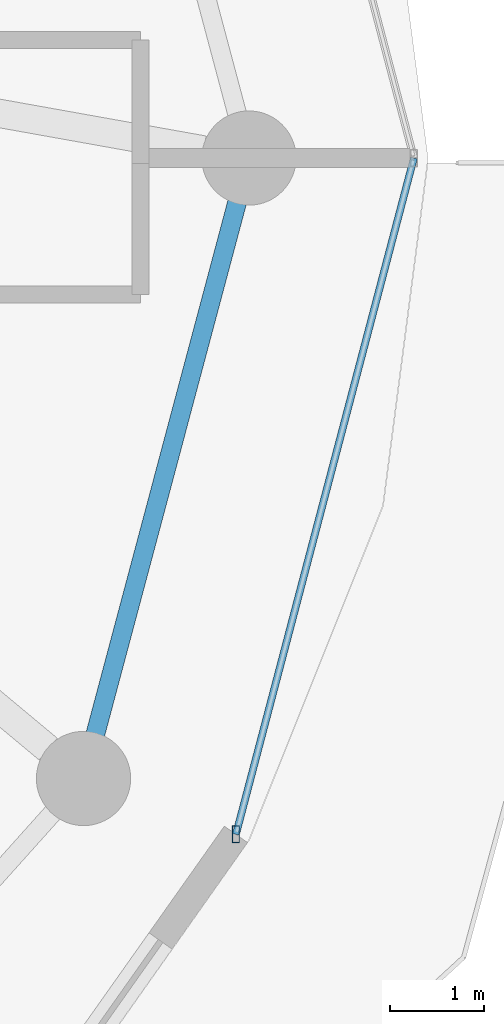
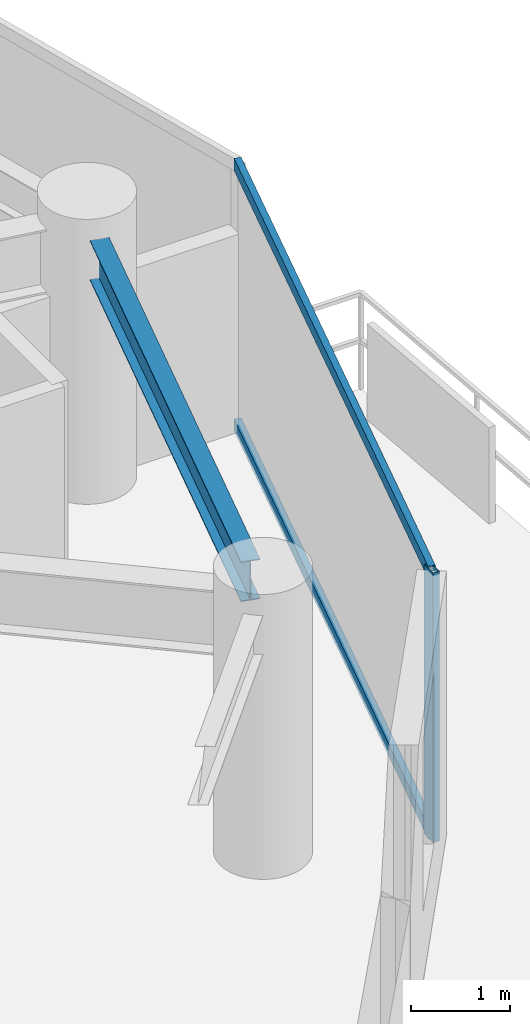
# One storey, part 14 of 31: 3 members, 1 beam, 1 element without a shape of its own.
"""IFC4 building model written with IfcOpenShell, lengths in metres."""

from ifc_helpers import new_model, si_unit, direction, frame, origin, origin_2d, place, context, subcontext, project, spatial, hollow_rectangle, i_section, extrude, material, material_profile, profile_set, type_object, element, aggregate, save


model = new_model("IFC4")

# Units and contexts
model_context = context("Model", 3, precision=1e-05, world=origin(), true_north=direction((0.0, 1.0)))
body_context = subcontext(model_context, "Body", "Model", "MODEL_VIEW")
ifc_project = project(units=[si_unit("LENGTHUNIT", "METRE"), si_unit("AREAUNIT", "SQUARE_METRE"), si_unit("VOLUMEUNIT", "CUBIC_METRE"), si_unit("PLANEANGLEUNIT", "RADIAN"), si_unit("MASSUNIT", "GRAM", prefix="KILO")], contexts=[model_context])

# Site, building, storey
site_placement = place(None, origin())
site = spatial("IfcSite", under=ifc_project, at=site_placement, CompositionType="ELEMENT")
building_placement = place(site_placement, origin())
building = spatial("IfcBuilding", under=site, at=building_placement, Name="Vorneva Point Tower", CompositionType="ELEMENT")
storey_placement = place(building_placement, frame((0.0, 0.0, 136.10009765625)))
storey = spatial("IfcBuildingStorey", under=building, at=storey_placement, Name="L36", CompositionType="ELEMENT", Elevation=136.10009765625)

# Beam
ifc_material_1 = material(Name="Steel S355", Category="steel")
ifc_material_profile_1 = material_profile(ifc_material_1, i_section(OverallWidth=0.199951171875, OverallDepth=0.491943359375, WebThickness=0.0087890625, FlangeThickness=0.011962890625, at=origin_2d()), Name="50B1")
ifc_profile_set_1 = profile_set([ifc_material_profile_1], Name="Steel S355")
beam_type = type_object("IfcBeamType", Name="BM-SPN-50B1", PredefinedType="SPANDREL", material=ifc_profile_set_1)
beam_placement = place(storey_placement, frame((59.42041015625, 19.886474609375, 2.993896484375), z_axis=(0.257550804648, 0.966264758245, 0.0), x_axis=(-0.966264758245, 0.257550804648, 0.0)))
element("IfcBeam", 1, at=beam_placement, inside=storey, type_object=beam_type, Name="L36 Perimeter Spandrel Ring Beam 16", PredefinedType="SPANDREL", context=body_context, shape_type="SweptSolid", body=[
    extrude(i_section(OverallWidth=0.199951171875, OverallDepth=0.491943359375, WebThickness=0.0087890625, FlangeThickness=0.011962890625, at=origin_2d()), origin(), (0.0, 0.0, 1.0), 5.842041015625),
])

# Curtain wall, members
ifc_material_2 = material(Name="Pale anodised aluminium", Category="aluminium")
curtain_wall_type = type_object("IfcCurtainWallType", Name="CW-RES-SYS", PredefinedType="NOTDEFINED", material=ifc_material_2)
curtain_wall_placement = place(storey_placement, origin())
curtain_wall = element("IfcCurtainWall", 2, at=curtain_wall_placement, inside=storey, type_object=curtain_wall_type, Name="L36 Unitised Curtain Wall CW-L36-R01", PredefinedType="NOTDEFINED")
ifc_material_profile_2 = material_profile(ifc_material_2, hollow_rectangle(XDim=0.074951171875, YDim=0.179931640625, WallThickness=0.00390625, at=origin_2d()), Name="AL-MUL 180x75x4")
ifc_profile_set_2 = profile_set([ifc_material_profile_2], Name="Pale anodised aluminium")
member_type_1 = type_object("IfcMemberType", Name="CW-MUL-180", PredefinedType="MULLION", material=ifc_profile_set_2)
member_1_placement = place(storey_placement, frame((60.912109375, 18.82470703125, -0.0400390625), z_axis=(0.0, 0.0, 1.0), x_axis=(1.0, 0.0, 0.0)))
member_1 = element("IfcMember", 3, at=member_1_placement, type_object=member_type_1, Name="CW-L36-R01 Mullion 01", PredefinedType="MULLION", context=body_context, shape_type="SweptSolid", body=[
    extrude(hollow_rectangle(XDim=0.074951171875, YDim=0.179931640625, WallThickness=0.00390625, at=origin_2d()), origin(), (0.0, 0.0, 1.0), 3.31005859375),
])
ifc_material_profile_3 = material_profile(ifc_material_2, hollow_rectangle(XDim=0.074951171875, YDim=0.14990234375, WallThickness=0.00390625, at=origin_2d()), Name="AL-TRN 150x75x4")
ifc_profile_set_3 = profile_set([ifc_material_profile_3], Name="Pale anodised aluminium")
member_type_2 = type_object("IfcMemberType", Name="CW-TRN-150", PredefinedType="USERDEFINED", material=ifc_profile_set_3)
member_2_placement = place(storey_placement, frame((60.912109375, 18.82470703125, 0.02001953125), z_axis=(0.254456046293, 0.967084339913, 0.0), x_axis=(-0.967084339913, 0.254456046293, 0.0)))
member_2 = element("IfcMember", 4, at=member_2_placement, type_object=member_type_2, Name="CW-L36-R01 Transom 01.1", ObjectType="TRANSOM", PredefinedType="USERDEFINED", context=body_context, shape_type="SweptSolid", body=[
    extrude(hollow_rectangle(XDim=0.074951171875, YDim=0.14990234375, WallThickness=0.00390625, at=origin_2d()), origin(), (0.0, 0.0, 1.0), 7.41943359375),
])
member_3_placement = place(storey_placement, frame((60.912109375, 18.82470703125, 3.219970703125), z_axis=(0.254456046293, 0.967084339913, 0.0), x_axis=(-0.967084339913, 0.254456046293, 0.0)))
member_3 = element("IfcMember", 5, at=member_3_placement, type_object=member_type_2, Name="CW-L36-R01 Transom 01.2", ObjectType="TRANSOM", PredefinedType="USERDEFINED", context=body_context, shape_type="SweptSolid", body=[
    extrude(hollow_rectangle(XDim=0.074951171875, YDim=0.14990234375, WallThickness=0.00390625, at=origin_2d()), origin(), (0.0, 0.0, 1.0), 7.41943359375),
])
aggregate(curtain_wall, [member_1, member_2, member_3])

save(model, "model.ifc")
